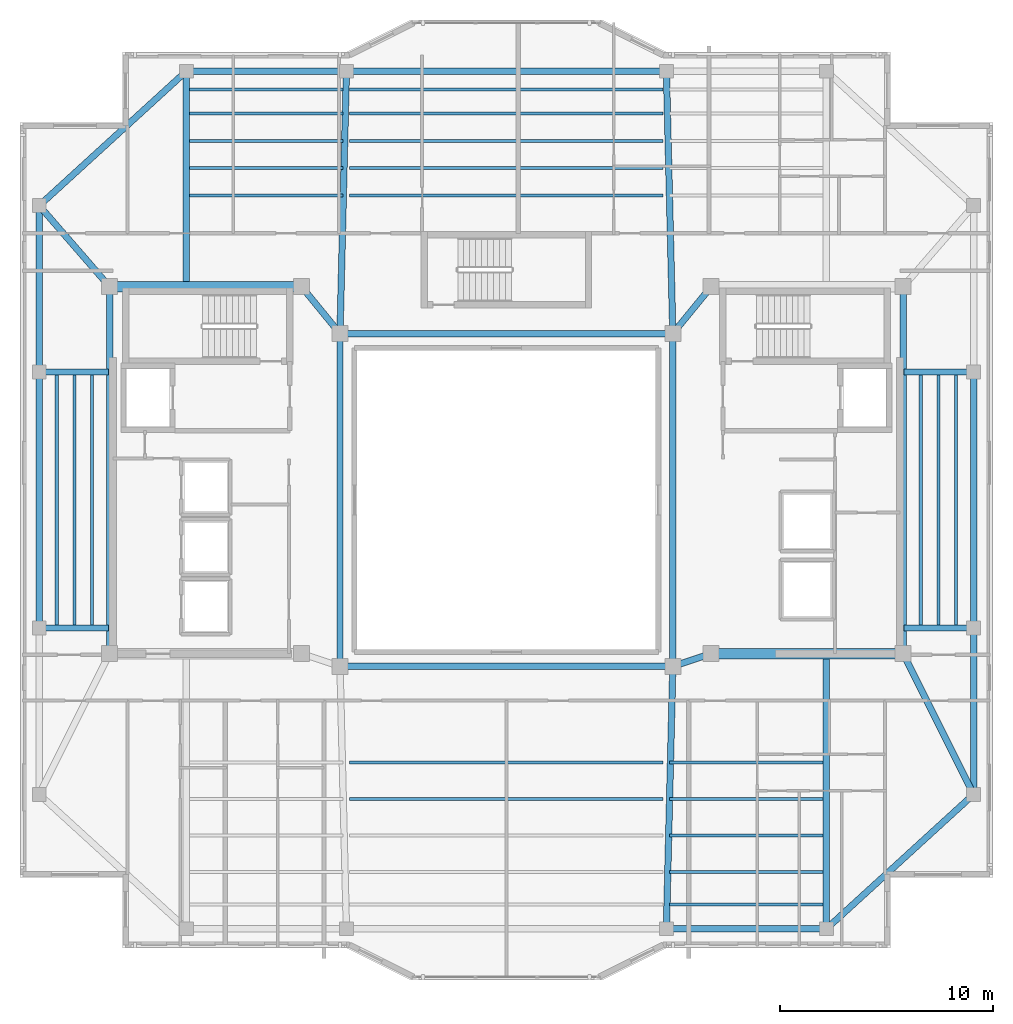
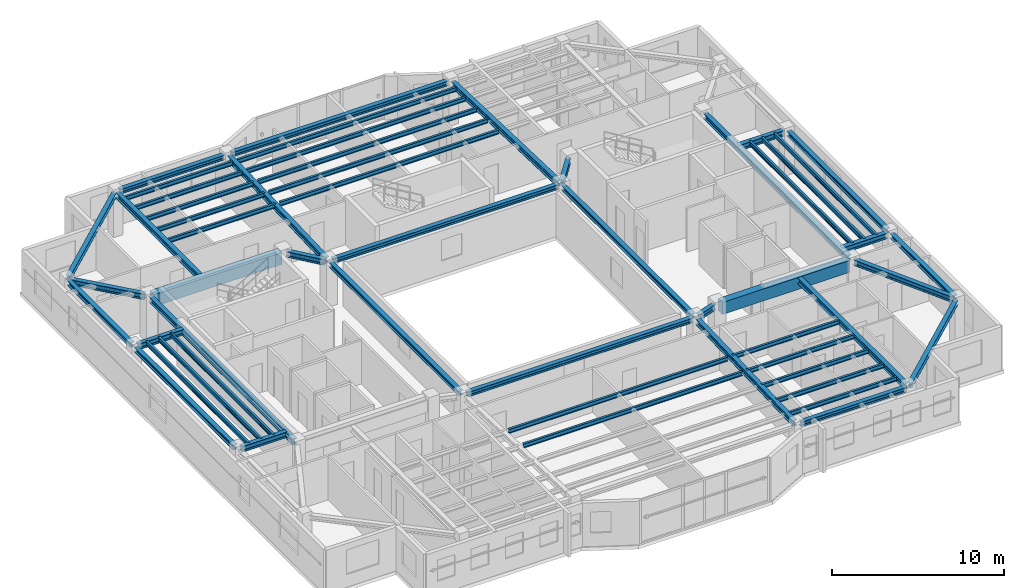
# One storey, part 3 of 14: 54 beams.
"""IFC4 building model written with IfcOpenShell, lengths in metres."""

from ifc_helpers import new_model, si_unit, direction, frame, origin, origin_2d, place, context, subcontext, project, spatial, rectangle, i_section, extrude, material, material_profile, profile_set, type_object, element, save


model = new_model("IFC4")

# Units and contexts
model_context = context("Model", 3, precision=1e-05, world=origin(), true_north=direction((0.0, 1.0)))
body_context = subcontext(model_context, "Body", "Model", "MODEL_VIEW")
ifc_project = project(units=[si_unit("LENGTHUNIT", "METRE"), si_unit("AREAUNIT", "SQUARE_METRE"), si_unit("VOLUMEUNIT", "CUBIC_METRE"), si_unit("PLANEANGLEUNIT", "RADIAN"), si_unit("MASSUNIT", "GRAM", prefix="KILO")], contexts=[model_context])

# Site, building, storey
site_placement = place(None, origin())
site = spatial("IfcSite", under=ifc_project, at=site_placement, CompositionType="ELEMENT")
building_placement = place(site_placement, origin())
building = spatial("IfcBuilding", under=site, at=building_placement, Name="Tarnavaz Court Tower", CompositionType="ELEMENT")
storey_placement = place(building_placement, frame((0.0, 0.0, 258.25)))
storey = spatial("IfcBuildingStorey", under=building, at=storey_placement, Name="L70", CompositionType="ELEMENT", Elevation=258.25)

# Beams
ifc_material_1 = material(Name="Concrete C50/60", Category="concrete")
ifc_material_profile_1 = material_profile(ifc_material_1, rectangle(XDim=0.5, YDim=0.85009765625, at=origin_2d()), Name="RC 500X850")
ifc_profile_set_1 = profile_set([ifc_material_profile_1], Name="Concrete C50/60")
beam_type_1 = type_object("IfcBeamType", Name="BM-CB850", PredefinedType="LINTEL", material=ifc_profile_set_1)
for number, where, z_axis, x_axis, name in (
    (1, (-18.3798828125, 10.0, 2.675048828125), (1.0, 0.0, 0.0), (0.0, 1.0, 0.0), "L70 Beam IN-CW-NO-CW-NI"),
    (2, (18.3798828125, -7.199951171875, 2.675048828125), (-1.0, 0.0, 0.0), (0.0, -1.0, 0.0), "L70 Beam IN-CE-SO-CE-SI"),
):
    element("IfcBeam", number, at=place(storey_placement, frame(where, z_axis=z_axis, x_axis=x_axis)), inside=storey, type_object=beam_type_1, Name=name, PredefinedType="LINTEL", context=body_context, shape_type="SweptSolid", body=[
        extrude(rectangle(XDim=0.5, YDim=0.85009765625, at=origin_2d()), origin(), (0.0, 0.0, 1.0), 8.559814453125),
    ])
ifc_material_2 = material(Name="Steel S355", Category="steel")
ifc_material_profile_2 = material_profile(ifc_material_2, i_section(OverallWidth=0.300048828125, OverallDepth=0.39990234375, WebThickness=0.013427734375, FlangeThickness=0.02392578125, FilletRadius=0.027099609375, at=origin_2d()), Name="HEB 400")
ifc_profile_set_2 = profile_set([ifc_material_profile_2], Name="Steel S355")
beam_type_2 = type_object("IfcBeamType", Name="BM-G-HEB400", PredefinedType="USERDEFINED", material=ifc_profile_set_2)
beam_1_placement = place(storey_placement, frame((9.391357421875, -7.26953125, 2.89990234375), z_axis=(-0.948666544706, -0.316278021615, 0.0), x_axis=(0.316278021615, -0.948666544706, 0.0)))
element("IfcBeam", 3, at=beam_1_placement, inside=storey, type_object=beam_type_2, Name="L70 Beam IN-CE-SI-IW-SE", ObjectType="GIRDER", PredefinedType="USERDEFINED", context=body_context, shape_type="SweptSolid", body=[
    extrude(i_section(OverallWidth=0.300048828125, OverallDepth=0.39990234375, WebThickness=0.013427734375, FlangeThickness=0.02392578125, FilletRadius=0.027099609375, at=origin_2d()), origin(), (0.0, 0.0, 1.0), 1.457275390625),
])
for number, where, z_axis, x_axis, name in (
    (4, (-9.460693359375, 9.82958984375, 2.89990234375), (0.633282058357, -0.773921077735, 0.0), (0.773921077735, 0.633282058357, 0.0), "L70 Beam IN-CW-NI-IW-NW"),
    (5, (9.460693359375, 9.82958984375, 2.89990234375), (-0.633282058357, -0.773921077735, 0.0), (0.773921077735, -0.633282058357, 0.0), "L70 Beam IN-CE-NI-IW-NE"),
):
    element("IfcBeam", number, at=place(storey_placement, frame(where, z_axis=z_axis, x_axis=x_axis)), inside=storey, type_object=beam_type_2, Name=name, ObjectType="GIRDER", PredefinedType="USERDEFINED", context=body_context, shape_type="SweptSolid", body=[
        extrude(i_section(OverallWidth=0.300048828125, OverallDepth=0.39990234375, WebThickness=0.013427734375, FlangeThickness=0.02392578125, FilletRadius=0.027099609375, at=origin_2d()), origin(), (0.0, 0.0, 1.0), 2.402587890625),
    ])
for number, where, z_axis, x_axis, name in (
    (6, (-18.60009765625, -6.97998046875, 2.89990234375), (0.0, 1.0, 0.0), (-1.0, 0.0, 0.0), "L70 Beam IN-CW-SO-CW-NO"),
    (7, (18.60009765625, -6.97998046875, 2.89990234375), (0.0, 1.0, 0.0), (-1.0, 0.0, 0.0), "L70 Beam IN-CE-SO-CE-NO"),
):
    element("IfcBeam", number, at=place(storey_placement, frame(where, z_axis=z_axis, x_axis=x_axis)), inside=storey, type_object=beam_type_2, Name=name, ObjectType="GIRDER", PredefinedType="USERDEFINED", context=body_context, shape_type="SweptSolid", body=[
        extrude(i_section(OverallWidth=0.300048828125, OverallDepth=0.39990234375, WebThickness=0.013427734375, FlangeThickness=0.02392578125, FilletRadius=0.027099609375, at=origin_2d()), origin(), (0.0, 0.0, 1.0), 16.760009765625),
    ])
beam_2_placement = place(storey_placement, frame((-15.0, 10.0400390625, 2.89990234375), z_axis=(0.0, 1.0, 0.0), x_axis=(-1.0, 0.0, 0.0)))
element("IfcBeam", 8, at=beam_2_placement, inside=storey, type_object=beam_type_2, Name="L70 Beam RG-01", ObjectType="GIRDER", PredefinedType="USERDEFINED", context=body_context, shape_type="SweptSolid", body=[
    extrude(i_section(OverallWidth=0.300048828125, OverallDepth=0.39990234375, WebThickness=0.013427734375, FlangeThickness=0.02392578125, FilletRadius=0.027099609375, at=origin_2d()), origin(), (0.0, 0.0, 1.0), 9.83984375),
])
for number, where, z_axis, x_axis, name in (
    (9, (-7.794677734375, 8.02001953125, 2.89990234375), (0.024386002211, 0.99970261723, 0.0), (-0.99970261723, 0.024386002211, 0.0), "L70 Beam RG-02"),
    (10, (7.794677734375, 8.02001953125, 2.89990234375), (-0.024386002211, 0.99970261723, 0.0), (-0.99970261723, -0.024386002211, 0.0), "L70 Beam RG-03"),
    (11, (7.794677734375, -8.02001953125, 2.89990234375), (-0.024386002211, -0.99970261723, 0.0), (0.99970261723, -0.024386002211, 0.0), "L70 Beam RG-07"),
):
    element("IfcBeam", number, at=place(storey_placement, frame(where, z_axis=z_axis, x_axis=x_axis)), inside=storey, type_object=beam_type_2, Name=name, ObjectType="GIRDER", PredefinedType="USERDEFINED", context=body_context, shape_type="SweptSolid", body=[
        extrude(i_section(OverallWidth=0.300048828125, OverallDepth=0.39990234375, WebThickness=0.013427734375, FlangeThickness=0.02392578125, FilletRadius=0.027099609375, at=origin_2d()), origin(), (0.0, 0.0, 1.0), 11.863525390625),
    ])
beam_3_placement = place(storey_placement, frame((15.0, -7.239990234375, 2.89990234375), z_axis=(0.0, -1.0, 0.0), x_axis=(1.0, 0.0, 0.0)))
element("IfcBeam", 12, at=beam_3_placement, inside=storey, type_object=beam_type_2, Name="L70 Beam RG-08", ObjectType="GIRDER", PredefinedType="USERDEFINED", context=body_context, shape_type="SweptSolid", body=[
    extrude(i_section(OverallWidth=0.300048828125, OverallDepth=0.39990234375, WebThickness=0.013427734375, FlangeThickness=0.02392578125, FilletRadius=0.027099609375, at=origin_2d()), origin(), (0.0, 0.0, 1.0), 12.639892578125),
])
for number, where, z_axis, x_axis, name in (
    (13, (18.639892578125, -6.0, 2.89990234375), (1.0, 0.0, 0.0), (0.0, 1.0, 0.0), "L70 Beam RG-09"),
    (14, (18.639892578125, 6.0, 2.89990234375), (1.0, 0.0, 0.0), (0.0, 1.0, 0.0), "L70 Beam RG-10"),
):
    element("IfcBeam", number, at=place(storey_placement, frame(where, z_axis=z_axis, x_axis=x_axis)), inside=storey, type_object=beam_type_2, Name=name, ObjectType="GIRDER", PredefinedType="USERDEFINED", context=body_context, shape_type="SweptSolid", body=[
        extrude(i_section(OverallWidth=0.300048828125, OverallDepth=0.39990234375, WebThickness=0.013427734375, FlangeThickness=0.02392578125, FilletRadius=0.027099609375, at=origin_2d()), origin(), (0.0, 0.0, 1.0), 3.0400390625),
    ])
beam_4_placement = place(storey_placement, frame((18.698486328125, -7.396728515625, 2.89990234375), z_axis=(0.447185448279, -0.894441264057, 0.0), x_axis=(0.894441264057, 0.447185448279, 0.0)))
element("IfcBeam", 15, at=beam_4_placement, inside=storey, type_object=beam_type_2, Name="L70 Beam RG-11", ObjectType="GIRDER", PredefinedType="USERDEFINED", context=body_context, shape_type="SweptSolid", body=[
    extrude(i_section(OverallWidth=0.300048828125, OverallDepth=0.39990234375, WebThickness=0.013427734375, FlangeThickness=0.02392578125, FilletRadius=0.027099609375, at=origin_2d()), origin(), (0.0, 0.0, 1.0), 6.93896484375),
])
for number, where, z_axis, x_axis, name in (
    (16, (-18.639892578125, -6.0, 2.89990234375), (-1.0, 0.0, 0.0), (0.0, -1.0, 0.0), "L70 Beam RG-13"),
    (17, (-18.639892578125, 6.0, 2.89990234375), (-1.0, 0.0, 0.0), (0.0, -1.0, 0.0), "L70 Beam RG-14"),
):
    element("IfcBeam", number, at=place(storey_placement, frame(where, z_axis=z_axis, x_axis=x_axis)), inside=storey, type_object=beam_type_2, Name=name, ObjectType="GIRDER", PredefinedType="USERDEFINED", context=body_context, shape_type="SweptSolid", body=[
        extrude(i_section(OverallWidth=0.300048828125, OverallDepth=0.39990234375, WebThickness=0.013427734375, FlangeThickness=0.02392578125, FilletRadius=0.027099609375, at=origin_2d()), origin(), (0.0, 0.0, 1.0), 3.0400390625),
    ])
beam_5_placement = place(storey_placement, frame((-18.744384765625, 10.166015625, 2.89990234375), z_axis=(-0.65565475567, 0.755060819648, 0.0), x_axis=(-0.755060819648, -0.65565475567, 0.0)))
element("IfcBeam", 18, at=beam_5_placement, inside=storey, type_object=beam_type_2, Name="L70 Beam RG-16", ObjectType="GIRDER", PredefinedType="USERDEFINED", context=body_context, shape_type="SweptSolid", body=[
    extrude(i_section(OverallWidth=0.300048828125, OverallDepth=0.39990234375, WebThickness=0.013427734375, FlangeThickness=0.02392578125, FilletRadius=0.027099609375, at=origin_2d()), origin(), (0.0, 0.0, 1.0), 4.5927734375),
])
ifc_material_profile_3 = material_profile(ifc_material_2, i_section(OverallWidth=0.14990234375, OverallDepth=0.300048828125, WebThickness=0.007080078125, FlangeThickness=0.0107421875, FilletRadius=0.014892578125, at=origin_2d()), Name="IPE 300")
ifc_profile_set_3 = profile_set([ifc_material_profile_3], Name="Steel S355")
beam_type_3 = type_object("IfcBeamType", Name="BM-J-IPE300", PredefinedType="JOIST", material=ifc_profile_set_3)
beam_6_placement = place(storey_placement, frame((-14.85009765625, 14.278076171875, 2.949951171875), z_axis=(1.0, 0.0, 0.0), x_axis=(0.0, 1.0, 0.0)))
element("IfcBeam", 19, at=beam_6_placement, inside=storey, type_object=beam_type_3, Name="L70 Beam JN1-1", PredefinedType="JOIST", context=body_context, shape_type="SweptSolid", body=[
    extrude(i_section(OverallWidth=0.14990234375, OverallDepth=0.300048828125, WebThickness=0.007080078125, FlangeThickness=0.0107421875, FilletRadius=0.014892578125, at=origin_2d()), origin(), (0.0, 0.0, 1.0), 7.2001953125),
])
for number, where, z_axis, x_axis, name in (
    (20, (-7.35009765625, 14.278076171875, 2.949951171875), (1.0, 0.0, 0.0), (0.0, 1.0, 0.0), "L70 Beam JN1-2"),
    (21, (-7.35009765625, -12.31005859375, 2.949951171875), (1.0, 0.0, 0.0), (0.0, 1.0, 0.0), "L70 Beam JS1-2"),
):
    element("IfcBeam", number, at=place(storey_placement, frame(where, z_axis=z_axis, x_axis=x_axis)), inside=storey, type_object=beam_type_3, Name=name, PredefinedType="JOIST", context=body_context, shape_type="SweptSolid", body=[
        extrude(i_section(OverallWidth=0.14990234375, OverallDepth=0.300048828125, WebThickness=0.007080078125, FlangeThickness=0.0107421875, FilletRadius=0.014892578125, at=origin_2d()), origin(), (0.0, 0.0, 1.0), 14.7001953125),
    ])
for number, where, z_axis, x_axis, name in (
    (22, (7.64990234375, -12.31005859375, 2.949951171875), (1.0, 0.0, 0.0), (0.0, 1.0, 0.0), "L70 Beam JS1-3"),
    (23, (-14.85009765625, 15.555908203125, 2.949951171875), (1.0, 0.0, 0.0), (0.0, 1.0, 0.0), "L70 Beam JN2-1"),
):
    element("IfcBeam", number, at=place(storey_placement, frame(where, z_axis=z_axis, x_axis=x_axis)), inside=storey, type_object=beam_type_3, Name=name, PredefinedType="JOIST", context=body_context, shape_type="SweptSolid", body=[
        extrude(i_section(OverallWidth=0.14990234375, OverallDepth=0.300048828125, WebThickness=0.007080078125, FlangeThickness=0.0107421875, FilletRadius=0.014892578125, at=origin_2d()), origin(), (0.0, 0.0, 1.0), 7.2001953125),
    ])
for number, where, z_axis, x_axis, name in (
    (24, (-7.35009765625, 15.555908203125, 2.949951171875), (1.0, 0.0, 0.0), (0.0, 1.0, 0.0), "L70 Beam JN2-2"),
    (25, (-7.35009765625, -14.02001953125, 2.949951171875), (1.0, 0.0, 0.0), (0.0, 1.0, 0.0), "L70 Beam JS2-2"),
):
    element("IfcBeam", number, at=place(storey_placement, frame(where, z_axis=z_axis, x_axis=x_axis)), inside=storey, type_object=beam_type_3, Name=name, PredefinedType="JOIST", context=body_context, shape_type="SweptSolid", body=[
        extrude(i_section(OverallWidth=0.14990234375, OverallDepth=0.300048828125, WebThickness=0.007080078125, FlangeThickness=0.0107421875, FilletRadius=0.014892578125, at=origin_2d()), origin(), (0.0, 0.0, 1.0), 14.7001953125),
    ])
for number, where, z_axis, x_axis, name in (
    (26, (7.64990234375, -14.02001953125, 2.949951171875), (1.0, 0.0, 0.0), (0.0, 1.0, 0.0), "L70 Beam JS2-3"),
    (27, (-14.85009765625, 16.833984375, 2.949951171875), (1.0, 0.0, 0.0), (0.0, 1.0, 0.0), "L70 Beam JN3-1"),
):
    element("IfcBeam", number, at=place(storey_placement, frame(where, z_axis=z_axis, x_axis=x_axis)), inside=storey, type_object=beam_type_3, Name=name, PredefinedType="JOIST", context=body_context, shape_type="SweptSolid", body=[
        extrude(i_section(OverallWidth=0.14990234375, OverallDepth=0.300048828125, WebThickness=0.007080078125, FlangeThickness=0.0107421875, FilletRadius=0.014892578125, at=origin_2d()), origin(), (0.0, 0.0, 1.0), 7.2001953125),
    ])
beam_7_placement = place(storey_placement, frame((-7.35009765625, 16.833984375, 2.949951171875), z_axis=(1.0, 0.0, 0.0), x_axis=(0.0, 1.0, 0.0)))
element("IfcBeam", 28, at=beam_7_placement, inside=storey, type_object=beam_type_3, Name="L70 Beam JN3-2", PredefinedType="JOIST", context=body_context, shape_type="SweptSolid", body=[
    extrude(i_section(OverallWidth=0.14990234375, OverallDepth=0.300048828125, WebThickness=0.007080078125, FlangeThickness=0.0107421875, FilletRadius=0.014892578125, at=origin_2d()), origin(), (0.0, 0.0, 1.0), 14.7001953125),
])
for number, where, z_axis, x_axis, name in (
    (29, (7.64990234375, -15.72998046875, 2.949951171875), (1.0, 0.0, 0.0), (0.0, 1.0, 0.0), "L70 Beam JS3-3"),
    (30, (-14.85009765625, 18.112060546875, 2.949951171875), (1.0, 0.0, 0.0), (0.0, 1.0, 0.0), "L70 Beam JN4-1"),
):
    element("IfcBeam", number, at=place(storey_placement, frame(where, z_axis=z_axis, x_axis=x_axis)), inside=storey, type_object=beam_type_3, Name=name, PredefinedType="JOIST", context=body_context, shape_type="SweptSolid", body=[
        extrude(i_section(OverallWidth=0.14990234375, OverallDepth=0.300048828125, WebThickness=0.007080078125, FlangeThickness=0.0107421875, FilletRadius=0.014892578125, at=origin_2d()), origin(), (0.0, 0.0, 1.0), 7.2001953125),
    ])
beam_8_placement = place(storey_placement, frame((-7.35009765625, 18.112060546875, 2.949951171875), z_axis=(1.0, 0.0, 0.0), x_axis=(0.0, 1.0, 0.0)))
element("IfcBeam", 31, at=beam_8_placement, inside=storey, type_object=beam_type_3, Name="L70 Beam JN4-2", PredefinedType="JOIST", context=body_context, shape_type="SweptSolid", body=[
    extrude(i_section(OverallWidth=0.14990234375, OverallDepth=0.300048828125, WebThickness=0.007080078125, FlangeThickness=0.0107421875, FilletRadius=0.014892578125, at=origin_2d()), origin(), (0.0, 0.0, 1.0), 14.7001953125),
])
for number, where, z_axis, x_axis, name in (
    (32, (7.64990234375, -17.43994140625, 2.949951171875), (1.0, 0.0, 0.0), (0.0, 1.0, 0.0), "L70 Beam JS4-3"),
    (33, (-14.85009765625, 19.248046875, 2.949951171875), (1.0, 0.0, 0.0), (0.0, 1.0, 0.0), "L70 Beam JN5-1"),
):
    element("IfcBeam", number, at=place(storey_placement, frame(where, z_axis=z_axis, x_axis=x_axis)), inside=storey, type_object=beam_type_3, Name=name, PredefinedType="JOIST", context=body_context, shape_type="SweptSolid", body=[
        extrude(i_section(OverallWidth=0.14990234375, OverallDepth=0.300048828125, WebThickness=0.007080078125, FlangeThickness=0.0107421875, FilletRadius=0.014892578125, at=origin_2d()), origin(), (0.0, 0.0, 1.0), 7.2001953125),
    ])
beam_9_placement = place(storey_placement, frame((-7.35009765625, 19.248046875, 2.949951171875), z_axis=(1.0, 0.0, 0.0), x_axis=(0.0, 1.0, 0.0)))
element("IfcBeam", 34, at=beam_9_placement, inside=storey, type_object=beam_type_3, Name="L70 Beam JN5-2", PredefinedType="JOIST", context=body_context, shape_type="SweptSolid", body=[
    extrude(i_section(OverallWidth=0.14990234375, OverallDepth=0.300048828125, WebThickness=0.007080078125, FlangeThickness=0.0107421875, FilletRadius=0.014892578125, at=origin_2d()), origin(), (0.0, 0.0, 1.0), 14.7001953125),
])
beam_10_placement = place(storey_placement, frame((7.64990234375, -18.9599609375, 2.949951171875), z_axis=(1.0, 0.0, 0.0), x_axis=(0.0, 1.0, 0.0)))
element("IfcBeam", 35, at=beam_10_placement, inside=storey, type_object=beam_type_3, Name="L70 Beam JS5-3", PredefinedType="JOIST", context=body_context, shape_type="SweptSolid", body=[
    extrude(i_section(OverallWidth=0.14990234375, OverallDepth=0.300048828125, WebThickness=0.007080078125, FlangeThickness=0.0107421875, FilletRadius=0.014892578125, at=origin_2d()), origin(), (0.0, 0.0, 1.0), 7.2001953125),
])
for number, where, z_axis, x_axis, name in (
    (36, (19.425048828125, -5.9599609375, 2.949951171875), (0.0, 1.0, 0.0), (-1.0, 0.0, 0.0), "L70 Beam JE1"),
    (37, (-19.425048828125, -5.9599609375, 2.949951171875), (0.0, 1.0, 0.0), (-1.0, 0.0, 0.0), "L70 Beam JW1"),
    (38, (20.25, -5.9599609375, 2.949951171875), (0.0, 1.0, 0.0), (-1.0, 0.0, 0.0), "L70 Beam JE2"),
    (39, (-20.25, -5.9599609375, 2.949951171875), (0.0, 1.0, 0.0), (-1.0, 0.0, 0.0), "L70 Beam JW2"),
    (40, (21.074951171875, -5.9599609375, 2.949951171875), (0.0, 1.0, 0.0), (-1.0, 0.0, 0.0), "L70 Beam JE3"),
    (41, (-21.074951171875, -5.9599609375, 2.949951171875), (0.0, 1.0, 0.0), (-1.0, 0.0, 0.0), "L70 Beam JW3"),
):
    element("IfcBeam", number, at=place(storey_placement, frame(where, z_axis=z_axis, x_axis=x_axis)), inside=storey, type_object=beam_type_3, Name=name, PredefinedType="JOIST", context=body_context, shape_type="SweptSolid", body=[
        extrude(i_section(OverallWidth=0.14990234375, OverallDepth=0.300048828125, WebThickness=0.007080078125, FlangeThickness=0.0107421875, FilletRadius=0.014892578125, at=origin_2d()), origin(), (0.0, 0.0, 1.0), 11.919921875),
    ])
ifc_material_profile_4 = material_profile(ifc_material_2, i_section(OverallWidth=0.300048828125, OverallDepth=0.330078125, WebThickness=0.009521484375, FlangeThickness=0.0166015625, FilletRadius=0.027099609375, at=origin_2d()), Name="HEA 340")
ifc_profile_set_4 = profile_set([ifc_material_profile_4], Name="Steel S355")
beam_type_4 = type_object("IfcBeamType", Name="BM-SP-HEA340", PredefinedType="BEAM", material=ifc_profile_set_4)
for number, where, z_axis, x_axis, name in (
    (42, (-7.580078125, -7.800048828125, 2.93505859375), (1.0, 0.0, 0.0), (0.0, 1.0, 0.0), "L70 Beam IN-IW-SW-IW-SE"),
    (43, (-7.580078125, 7.800048828125, 2.93505859375), (1.0, 0.0, 0.0), (0.0, 1.0, 0.0), "L70 Beam IN-IW-NW-IW-NE"),
    (44, (-7.800048828125, -7.580078125, 2.93505859375), (0.0, 1.0, 0.0), (-1.0, 0.0, 0.0), "L70 Beam IN-IW-SW-IW-NW"),
    (45, (7.800048828125, -7.580078125, 2.93505859375), (0.0, 1.0, 0.0), (-1.0, 0.0, 0.0), "L70 Beam IN-IW-SE-IW-NE"),
):
    element("IfcBeam", number, at=place(storey_placement, frame(where, z_axis=z_axis, x_axis=x_axis)), inside=storey, type_object=beam_type_4, Name=name, PredefinedType="BEAM", context=body_context, shape_type="SweptSolid", body=[
        extrude(i_section(OverallWidth=0.300048828125, OverallDepth=0.330078125, WebThickness=0.009521484375, FlangeThickness=0.0166015625, FilletRadius=0.027099609375, at=origin_2d()), origin(), (0.0, 0.0, 1.0), 15.16015625),
    ])
beam_11_placement = place(storey_placement, frame((-14.780029296875, 20.10009765625, 2.93505859375), z_axis=(1.0, 0.0, 0.0), x_axis=(0.0, 1.0, 0.0)))
element("IfcBeam", 46, at=beam_11_placement, inside=storey, type_object=beam_type_4, Name="L70 Beam PR-PN-1-PN-2", PredefinedType="BEAM", context=body_context, shape_type="SweptSolid", body=[
    extrude(i_section(OverallWidth=0.300048828125, OverallDepth=0.330078125, WebThickness=0.009521484375, FlangeThickness=0.0166015625, FilletRadius=0.027099609375, at=origin_2d()), origin(), (0.0, 0.0, 1.0), 7.06005859375),
])
beam_12_placement = place(storey_placement, frame((-7.280029296875, 20.10009765625, 2.93505859375), z_axis=(1.0, 0.0, 0.0), x_axis=(0.0, 1.0, 0.0)))
element("IfcBeam", 47, at=beam_12_placement, inside=storey, type_object=beam_type_4, Name="L70 Beam PR-PN-2-PN-3", PredefinedType="BEAM", context=body_context, shape_type="SweptSolid", body=[
    extrude(i_section(OverallWidth=0.300048828125, OverallDepth=0.330078125, WebThickness=0.009521484375, FlangeThickness=0.0166015625, FilletRadius=0.027099609375, at=origin_2d()), origin(), (0.0, 0.0, 1.0), 14.56005859375),
])
beam_13_placement = place(storey_placement, frame((7.719970703125, -20.10009765625, 2.93505859375), z_axis=(1.0, 0.0, 0.0), x_axis=(0.0, 1.0, 0.0)))
element("IfcBeam", 48, at=beam_13_placement, inside=storey, type_object=beam_type_4, Name="L70 Beam PR-PS-3-PS-4", PredefinedType="BEAM", context=body_context, shape_type="SweptSolid", body=[
    extrude(i_section(OverallWidth=0.300048828125, OverallDepth=0.330078125, WebThickness=0.009521484375, FlangeThickness=0.0166015625, FilletRadius=0.027099609375, at=origin_2d()), origin(), (0.0, 0.0, 1.0), 7.06005859375),
])
beam_14_placement = place(storey_placement, frame((21.89990234375, -13.580078125, 2.93505859375), z_axis=(0.0, 1.0, 0.0), x_axis=(-1.0, 0.0, 0.0)))
element("IfcBeam", 49, at=beam_14_placement, inside=storey, type_object=beam_type_4, Name="L70 Beam PR-PE-1-PE-2", PredefinedType="BEAM", context=body_context, shape_type="SweptSolid", body=[
    extrude(i_section(OverallWidth=0.300048828125, OverallDepth=0.330078125, WebThickness=0.009521484375, FlangeThickness=0.0166015625, FilletRadius=0.027099609375, at=origin_2d()), origin(), (0.0, 0.0, 1.0), 7.360107421875),
])
for number, where, z_axis, x_axis, name in (
    (50, (21.89990234375, -5.780029296875, 2.93505859375), (0.0, 1.0, 0.0), (-1.0, 0.0, 0.0), "L70 Beam PR-PE-2-PE-3"),
    (51, (-21.89990234375, -5.780029296875, 2.93505859375), (0.0, 1.0, 0.0), (-1.0, 0.0, 0.0), "L70 Beam PR-PW-2-PW-3"),
):
    element("IfcBeam", number, at=place(storey_placement, frame(where, z_axis=z_axis, x_axis=x_axis)), inside=storey, type_object=beam_type_4, Name=name, PredefinedType="BEAM", context=body_context, shape_type="SweptSolid", body=[
        extrude(i_section(OverallWidth=0.300048828125, OverallDepth=0.330078125, WebThickness=0.009521484375, FlangeThickness=0.0166015625, FilletRadius=0.027099609375, at=origin_2d()), origin(), (0.0, 0.0, 1.0), 11.56005859375),
    ])
beam_15_placement = place(storey_placement, frame((-21.89990234375, 6.219970703125, 2.93505859375), z_axis=(0.0, 1.0, 0.0), x_axis=(-1.0, 0.0, 0.0)))
element("IfcBeam", 52, at=beam_15_placement, inside=storey, type_object=beam_type_4, Name="L70 Beam PR-PW-3-PW-4", PredefinedType="BEAM", context=body_context, shape_type="SweptSolid", body=[
    extrude(i_section(OverallWidth=0.300048828125, OverallDepth=0.330078125, WebThickness=0.009521484375, FlangeThickness=0.0166015625, FilletRadius=0.027099609375, at=origin_2d()), origin(), (0.0, 0.0, 1.0), 7.360107421875),
])
for number, where, z_axis, x_axis, name in (
    (53, (21.737548828125, -13.9482421875, 2.93505859375), (-0.738474214476, -0.674281717499, 0.0), (0.674281717499, -0.738474214476, 0.0), "L70 Beam PR-PE-1-PS-4"),
    (54, (-21.737548828125, 13.9482421875, 2.93505859375), (0.738474214476, 0.674281717499, 0.0), (-0.674281717499, 0.738474214476, 0.0), "L70 Beam PR-PW-4-PN-1"),
):
    element("IfcBeam", number, at=place(storey_placement, frame(where, z_axis=z_axis, x_axis=x_axis)), inside=storey, type_object=beam_type_4, Name=name, PredefinedType="BEAM", context=body_context, shape_type="SweptSolid", body=[
        extrude(i_section(OverallWidth=0.300048828125, OverallDepth=0.330078125, WebThickness=0.009521484375, FlangeThickness=0.0166015625, FilletRadius=0.027099609375, at=origin_2d()), origin(), (0.0, 0.0, 1.0), 8.9033203125),
    ])

save(model, "model.ifc")
